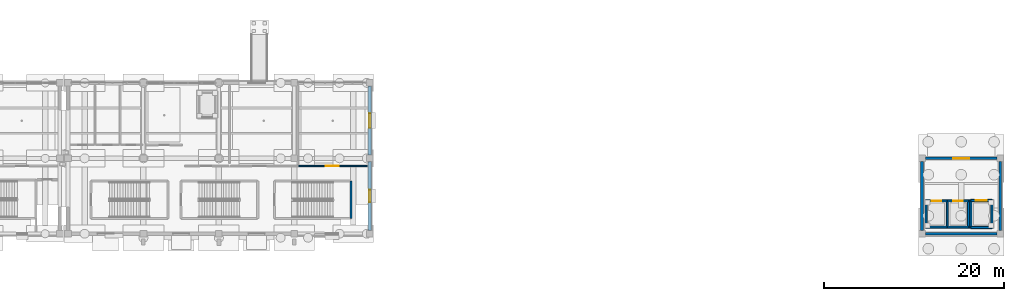
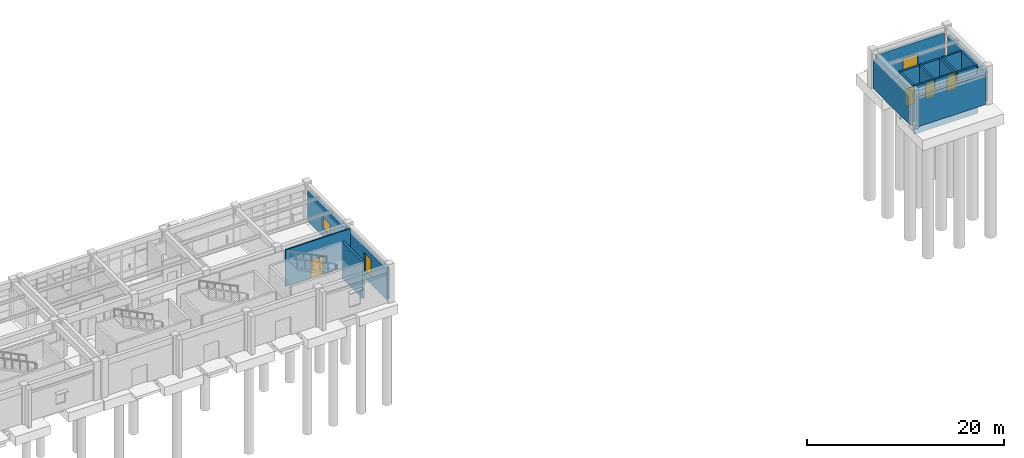
# One storey, part 19 of 29: 21 walls, 5 doors, 2 windows, 7 openings.
"""IFC4 building model written with IfcOpenShell, lengths in metres."""

import ifcopenshell
import ifcopenshell.guid

model = None  # the IFC model being written
_history = None  # IfcOwnerHistory: only IFC2X3 demands one
_inside = {}  # id of a spatial element -> (the spatial element, [elements in it])
_under = {}  # id of a project, library or spatial element -> (it, [spatial elements below it])
_declared = {}  # id of a project -> (the project, [libraries it declares])
_typed = {}  # id of a type object -> (the type object, [elements of that type])
_made_of = {}  # id of a material, layer set ... -> (it, [elements and type objects made of it])


def new_model(schema):
    """Start an empty IFC model of exactly this schema.

    Asked for "IFC4X3", IfcOpenShell would pick the latest addendum, in which some entities
    have other attributes; the version numbers below select the first issue.
    IFC2X3 requires an IfcOwnerHistory on every rooted entity: one is made here for all.
    """
    global model, _history
    if schema == "IFC4X3":
        model = ifcopenshell.file(schema_version=(4, 3, 0, 0))
    else:
        model = ifcopenshell.file(schema=schema)
    _inside.clear()
    _under.clear()
    _declared.clear()
    _typed.clear()
    _made_of.clear()
    _history = None
    if model.schema == "IFC2X3":
        org = make("IfcOrganization", Name="unknown")
        user = make(
            "IfcPersonAndOrganization",
            ThePerson=make("IfcPerson", FamilyName="unknown"),
            TheOrganization=org,
        )
        app = make(
            "IfcApplication",
            ApplicationDeveloper=org,
            Version="unknown",
            ApplicationFullName="unknown",
            ApplicationIdentifier="unknown",
        )
        _history = make(
            "IfcOwnerHistory",
            OwningUser=user,
            OwningApplication=app,
            ChangeAction="ADDED",
            CreationDate=0,
        )
    return model


def make(cls, **values):
    """One entity of the class cls with the attributes given. An attribute that is None is left unset."""
    return model.create_entity(
        cls, **{name: value for name, value in values.items() if value is not None}
    )


def rooted(cls, **values):
    """An entity with a GlobalId (a new one), such as an element, a storey or a relation."""
    return make(cls, GlobalId=ifcopenshell.guid.new(), OwnerHistory=_history, **values)


def si_unit(unit_type, name, prefix=None):
    """IfcSIUnit, for example si_unit("LENGTHUNIT", "METRE", prefix="MILLI")."""
    return make("IfcSIUnit", UnitType=unit_type, Prefix=prefix, Name=name)


def assignment(units):
    """IfcUnitAssignment: the units of a project."""
    return None if units is None else make("IfcUnitAssignment", Units=units)


def point(xyz):
    """IfcCartesianPoint."""
    return None if xyz is None else make("IfcCartesianPoint", Coordinates=xyz)


def direction(xyz):
    """IfcDirection."""
    return None if xyz is None else make("IfcDirection", DirectionRatios=xyz)


def frame(location, z_axis=None, x_axis=None):
    """IfcAxis2Placement3D, a coordinate frame: its origin and axes. An axis left out is left unset."""
    return make(
        "IfcAxis2Placement3D",
        Location=point(location),
        Axis=direction(z_axis),
        RefDirection=direction(x_axis),
    )


def frame_2d(location, x_axis=None):
    """IfcAxis2Placement2D, a coordinate frame in the plane: its origin and x axis."""
    return make(
        "IfcAxis2Placement2D", Location=point(location), RefDirection=direction(x_axis)
    )


def origin():
    """The frame at (0, 0, 0) with its axes left unset."""
    return frame((0.0, 0.0, 0.0))


def place(relative_to, where):
    """IfcLocalPlacement: puts the frame where relative to a parent placement (None: the world)."""
    return make(
        "IfcLocalPlacement", PlacementRelTo=relative_to, RelativePlacement=where
    )


def context(
    kind, dimensions, precision=None, world=None, true_north=None, identifier=None
):
    """IfcGeometricRepresentationContext, for example the 3D "Model" context."""
    return make(
        "IfcGeometricRepresentationContext",
        ContextIdentifier=identifier,
        ContextType=kind,
        CoordinateSpaceDimension=dimensions,
        Precision=precision,
        WorldCoordinateSystem=world,
        TrueNorth=true_north,
    )


def subcontext(parent, identifier, kind, view, scale=None):
    """IfcGeometricRepresentationSubContext, for example "Body" below "Model"."""
    return make(
        "IfcGeometricRepresentationSubContext",
        ContextIdentifier=identifier,
        ContextType=kind,
        ParentContext=parent,
        TargetScale=scale,
        TargetView=view,
    )


def project(units=None, contexts=None):
    """IfcProject with its units and contexts."""
    return rooted(
        "IfcProject",
        Name="project",
        RepresentationContexts=contexts,
        UnitsInContext=assignment(units),
    )


def spatial(cls, under=None, at=None, **own):
    """A site, building, storey or space (cls), placed at a placement, below another one or the project."""
    s = rooted(cls, ObjectPlacement=at, **own)
    if under is not None:
        _under.setdefault(under.id(), (under, []))[1].append(s)
    return s


def profile(cls, at=None, kind="AREA", **sizes):
    """A parametric profile (cls). Its sizes go by their IFC names, for example OverallWidth=200.0."""
    return make(cls, ProfileType=kind, Position=at, **sizes)


def rectangle(**sizes):
    """IfcRectangleProfileDef."""
    return profile("IfcRectangleProfileDef", **sizes)


def extrude(swept, where, along, depth):
    """IfcExtrudedAreaSolid: the profile swept, set in the frame where, extruded along a direction by depth."""
    return make(
        "IfcExtrudedAreaSolid",
        SweptArea=swept,
        Position=where,
        ExtrudedDirection=direction(along),
        Depth=depth,
    )


def shape(context_of_items, identifier, shape_type, items):
    """IfcShapeRepresentation: the items that make up one representation, for example the "Body"."""
    return make(
        "IfcShapeRepresentation",
        ContextOfItems=context_of_items,
        RepresentationIdentifier=identifier,
        RepresentationType=shape_type,
        Items=items,
    )


def material(Name=None, Category=None):
    """IfcMaterial."""
    return make("IfcMaterial", Name=Name, Category=Category)


def layer(
    of_material, thickness, ventilated=None, Name=None, Category=None, Priority=None
):
    """IfcMaterialLayer: one layer of a wall or slab, of a material (None: an air gap)."""
    return make(
        "IfcMaterialLayer",
        Material=of_material,
        LayerThickness=thickness,
        IsVentilated=ventilated,
        Name=Name,
        Category=Category,
        Priority=Priority,
    )


def layer_set(layers, Name=None):
    """IfcMaterialLayerSet."""
    return make("IfcMaterialLayerSet", MaterialLayers=layers, LayerSetName=Name)


def made_of(thing, what):
    """Note that an element or type object is made of a material, layer set ...; save() writes the relation."""
    if what is not None:
        _made_of.setdefault(what.id(), (what, []))[1].append(thing)
    return thing


def type_object(cls, material=None, **own):
    """A type object (cls), such as IfcWallType, which elements share."""
    return made_of(rooted(cls, **own), material)


def element(
    cls,
    number,
    at=None,
    inside=None,
    cuts=None,
    type_object=None,
    material=None,
    context=None,
    identifier="Body",
    shape_type=None,
    held_by="IfcProductDefinitionShape",
    body=None,
    shapes=None,
    **own,
):
    """One element of the class cls, such as IfcWall. Its Tag is "e" and its number.

    at: its placement. inside: the storey or other place that contains it. cuts: it is an
    opening in that element (IfcRelVoidsElement). A single representation is given by context,
    identifier, shape_type and body (its items); several are given by shapes. held_by: the class
    of the entity that holds the representations. save() writes the other relations.
    """
    e = rooted(cls, Tag="e%d" % number, ObjectPlacement=at, **own)
    if body is not None:
        shapes = [shape(context, identifier, shape_type, body)]
    if shapes is not None:
        e.Representation = make(held_by, Representations=shapes)
    if inside is not None:
        _inside.setdefault(inside.id(), (inside, []))[1].append(e)
    if cuts is not None:
        rooted(
            "IfcRelVoidsElement", RelatingBuildingElement=cuts, RelatedOpeningElement=e
        )
    if type_object is not None:
        _typed.setdefault(type_object.id(), (type_object, []))[1].append(e)
    return made_of(e, material)


def fill(opening, filler):
    """IfcRelFillsElement: the door or window that sits in an opening."""
    return rooted(
        "IfcRelFillsElement",
        RelatingOpeningElement=opening,
        RelatedBuildingElement=filler,
    )


def aggregate(whole, parts):
    """IfcRelAggregates: a whole, such as a stair, and the parts it consists of."""
    return rooted("IfcRelAggregates", RelatingObject=whole, RelatedObjects=parts)


def save(model, path):
    """Write the relations noted so far, then the file.

    IfcRelAggregates (storeys below a building ...), IfcRelContainedInSpatialStructure (elements
    in a storey), IfcRelDefinesByType, IfcRelAssociatesMaterial and IfcRelDeclares: one each for
    every whole, place, type object, material and project.
    """
    for whole, parts in _under.values():
        aggregate(whole, parts)
    for where, things in _inside.values():
        rooted(
            "IfcRelContainedInSpatialStructure",
            RelatedElements=things,
            RelatingStructure=where,
        )
    for kind, things in _typed.values():
        rooted("IfcRelDefinesByType", RelatedObjects=things, RelatingType=kind)
    for what, things in _made_of.values():
        rooted("IfcRelAssociatesMaterial", RelatedObjects=things, RelatingMaterial=what)
    for by, libraries in _declared.values():
        rooted("IfcRelDeclares", RelatingContext=by, RelatedDefinitions=libraries)
    model.write(path)


model = new_model("IFC4")

# Units and contexts
model_context = context("Model", 3, precision=1e-05, world=origin(), true_north=direction((0.0, 1.0)))
body_context = subcontext(model_context, "Body", "Model", "MODEL_VIEW")
ifc_project = project(units=[si_unit("LENGTHUNIT", "METRE"), si_unit("AREAUNIT", "SQUARE_METRE"), si_unit("VOLUMEUNIT", "CUBIC_METRE"), si_unit("PLANEANGLEUNIT", "RADIAN"), si_unit("MASSUNIT", "GRAM", prefix="KILO")], contexts=[model_context])

# Site, building, storey
site_placement = place(None, origin())
site = spatial("IfcSite", under=ifc_project, at=site_placement, CompositionType="ELEMENT")
building_placement = place(site_placement, origin())
building = spatial("IfcBuilding", under=site, at=building_placement, Name="Canglan Escarpment Cableway Terminal", CompositionType="ELEMENT")
storey_placement = place(building_placement, origin())
storey = spatial("IfcBuildingStorey", under=building, at=storey_placement, Name="L00", CompositionType="ELEMENT", Elevation=0.0)

# Walls
ifc_material_1 = material(Name="Concrete C40", Category="concrete")
ifc_layer_1 = layer(ifc_material_1, 0.239990234375, Name="Concrete C40")
ifc_layer_set_1 = layer_set([ifc_layer_1], Name="Concrete C40")
wall_type_1 = type_object("IfcWallType", Name="WL-CORE-SHEAR-240", PredefinedType="SHEAR", material=ifc_layer_set_1)
wall_1_placement = place(storey_placement, frame((74.02001953125, 9.679931640625, 0.0), z_axis=(0.0, 0.0, 1.0), x_axis=(0.0, 1.0, 0.0)))
element("IfcWall", 1, at=wall_1_placement, inside=storey, type_object=wall_type_1, Name="Protected stair core wall ST-05 (L00)", PredefinedType="SHEAR", context=body_context, shape_type="SweptSolid", body=[
    extrude(rectangle(XDim=4.190185546875, YDim=0.239990234375, at=frame_2d((2.09521484375, 0.0))), origin(), (0.0, 0.0, 1.0), 4.550048828125),
])
ifc_material_2 = material(Name="Dressed ashlar limestone on Concrete C40", Category="masonry")
ifc_layer_2 = layer(ifc_material_2, 0.320068359375, Name="Dressed ashlar limestone on Concrete C40")
ifc_layer_set_2 = layer_set([ifc_layer_2], Name="Dressed ashlar limestone on Concrete C40")
wall_type_2 = type_object("IfcWallType", Name="WL-EXT-ASHLAR-320", PredefinedType="STANDARD", material=ifc_layer_set_2)
wall_2_placement = place(storey_placement, frame((137.97509765625, 8.0, 0.0), z_axis=(0.0, 0.0, 1.0), x_axis=(1.0, 0.0, 0.0)))
element("IfcWall", 2, at=wall_2_placement, inside=storey, type_object=wall_type_2, Name="Classical stone-faced exterior wall EW-FB5A-L00-S-01", PredefinedType="STANDARD", context=body_context, shape_type="SweptSolid", body=[
    extrude(rectangle(XDim=7.949951171875, YDim=0.320068359375, at=frame_2d((3.97509765625, 0.0))), origin(), (0.0, 0.0, 1.0), 3.784912109375),
])
wall_3_placement = place(storey_placement, frame((146.300048828125, 8.375, 0.0), z_axis=(0.0, 0.0, 1.0), x_axis=(0.0, 1.0, 0.0)))
element("IfcWall", 3, at=wall_3_placement, inside=storey, type_object=wall_type_2, Name="Classical stone-faced exterior wall EW-FB5A-L00-E-01", PredefinedType="STANDARD", context=body_context, shape_type="SweptSolid", body=[
    extrude(rectangle(XDim=7.64990234375, YDim=0.320068359375, at=frame_2d((3.824951171875, 0.0))), origin(), (0.0, 0.0, 1.0), 3.5849609375),
])

# Wall, opening, door
wall_4_placement = place(storey_placement, frame((137.97509765625, 16.39990234375, 0.0), z_axis=(0.0, 0.0, 1.0), x_axis=(1.0, 0.0, 0.0)))
wall_4 = element("IfcWall", 4, at=wall_4_placement, inside=storey, type_object=wall_type_2, Name="Classical stone-faced exterior wall EW-FB5A-L00-N-01", PredefinedType="STANDARD", context=body_context, shape_type="SweptSolid", body=[
    extrude(rectangle(XDim=7.949951171875, YDim=0.320068359375, at=frame_2d((3.97509765625, 0.0))), origin(), (0.0, 0.0, 1.0), 3.784912109375),
])
opening_1_placement = place(wall_4_placement, frame((3.074951171875, 0.0, 0.0)))
opening_1 = element("IfcOpeningElement", 5, at=opening_1_placement, cuts=wall_4, Name="Opening ED-02", PredefinedType="OPENING", context=body_context, shape_type="SweptSolid", body=[
    extrude(rectangle(XDim=1.800048828125, YDim=2.25, at=frame_2d((0.89990234375, 1.125))), frame((0.0, 0.169921875, 0.0), z_axis=(0.0, -1.0, 0.0), x_axis=(1.0, 0.0, 0.0)), (0.0, 0.0, 1.0), 0.340087890625),
])
ifc_material_3 = material(Name="Anodized bronze aluminium and tempered safety glass", Category="aluminium")
door_type_1 = type_object("IfcDoorType", Name="DR-EXT-EXIT-1800", OperationType="NOTDEFINED", PredefinedType="DOOR", material=ifc_material_3)
door_1_placement = place(opening_1_placement, origin())
door_1 = element("IfcDoor", 6, at=door_1_placement, inside=storey, type_object=door_type_1, Name="Lift Lobby ground level final exit door ED-02", OperationType="DOUBLE_DOOR_SINGLE_SWING", OverallHeight=2.25, OverallWidth=1.800048828125, PredefinedType="DOOR", context=body_context, shape_type="SweptSolid", body=[
    extrude(rectangle(XDim=1.800048828125, YDim=2.25, at=frame_2d((0.89990234375, 1.125))), frame((0.0, 0.02490234375, 0.0), z_axis=(0.0, -1.0, 0.0), x_axis=(1.0, 0.0, 0.0)), (0.0, 0.0, 1.0), 0.050048828125),
])
fill(opening_1, door_1)

# Wall
wall_5_placement = place(storey_placement, frame((137.60009765625, 16.02490234375, 0.0), z_axis=(0.0, 0.0, 1.0), x_axis=(0.0, -1.0, 0.0)))
element("IfcWall", 7, at=wall_5_placement, inside=storey, type_object=wall_type_2, Name="Classical stone-faced exterior wall EW-FB5A-L00-W-01", PredefinedType="STANDARD", context=body_context, shape_type="SweptSolid", body=[
    extrude(rectangle(XDim=7.64990234375, YDim=0.320068359375, at=frame_2d((3.824951171875, 0.0))), origin(), (0.0, 0.0, 1.0), 3.5849609375),
])

# Wall, opening, window
ifc_material_4 = material(Name="Rusticated limestone masonry on Concrete C40", Category="masonry")
ifc_layer_3 = layer(ifc_material_4, 0.360107421875, Name="Rusticated limestone masonry on Concrete C40")
ifc_layer_set_3 = layer_set([ifc_layer_3], Name="Rusticated limestone masonry on Concrete C40")
wall_type_3 = type_object("IfcWallType", Name="WL-EXT-RUST-360", PredefinedType="STANDARD", material=ifc_layer_set_3)
wall_6_placement = place(storey_placement, frame((76.10009765625, 8.375, 0.0), z_axis=(0.0, 0.0, 1.0), x_axis=(0.0, 1.0, 0.0)))
wall_6 = element("IfcWall", 8, at=wall_6_placement, inside=storey, type_object=wall_type_3, Name="Classical stone-faced exterior wall EW-FB2-L00-E-01", PredefinedType="STANDARD", context=body_context, shape_type="SweptSolid", body=[
    extrude(rectangle(XDim=7.64990234375, YDim=0.360107421875, at=frame_2d((3.824951171875, 0.0))), origin(), (0.0, 0.0, 1.0), 3.784912109375),
])
opening_2_placement = place(wall_6_placement, frame((3.14990234375, 0.0, 0.949951171875)))
opening_2 = element("IfcOpeningElement", 9, at=opening_2_placement, cuts=wall_6, Name="Opening W-08", PredefinedType="OPENING", context=body_context, shape_type="SweptSolid", body=[
    extrude(rectangle(XDim=1.35009765625, YDim=2.14990234375, at=frame_2d((0.675048828125, 1.074951171875))), frame((0.0, 0.18994140625, 0.0), z_axis=(0.0, -1.0, 0.0), x_axis=(1.0, 0.0, 0.0)), (0.0, 0.0, 1.0), 0.380126953125),
])
ifc_material_5 = material(Name="Anodized bronze aluminium and Low-E double glazing", Category="aluminium")
window_type_1 = type_object("IfcWindowType", Name="WIN-EXT-08", PartitioningType="SINGLE_PANEL", PredefinedType="WINDOW", material=ifc_material_5)
window_1_placement = place(opening_2_placement, origin())
window_1 = element("IfcWindow", 10, at=window_1_placement, inside=storey, type_object=window_type_1, Name="Classical module window W-08", OverallHeight=2.14990234375, OverallWidth=1.35009765625, PartitioningType="SINGLE_PANEL", PredefinedType="WINDOW", context=body_context, shape_type="SweptSolid", body=[
    extrude(rectangle(XDim=1.35009765625, YDim=2.14990234375, at=frame_2d((0.675048828125, 1.074951171875))), frame((0.0, 0.030029296875, 0.0), z_axis=(0.0, -1.0, 0.0), x_axis=(1.0, 0.0, 0.0)), (0.0, 0.0, 1.0), 0.06005859375),
])
fill(opening_2, window_1)

wall_7_placement = place(storey_placement, frame((76.10009765625, 16.77490234375, 0.0), z_axis=(0.0, 0.0, 1.0), x_axis=(0.0, 1.0, 0.0)))
wall_7 = element("IfcWall", 11, at=wall_7_placement, inside=storey, type_object=wall_type_3, Name="Classical stone-faced exterior wall EW-FB2-L00-E-02", PredefinedType="STANDARD", context=body_context, shape_type="SweptSolid", body=[
    extrude(rectangle(XDim=7.650146484375, YDim=0.360107421875, at=frame_2d((3.8251953125, 0.0))), origin(), (0.0, 0.0, 1.0), 3.784912109375),
])
opening_3_placement = place(wall_7_placement, frame((3.02490234375, 0.0, 0.949951171875)))
opening_3 = element("IfcOpeningElement", 12, at=opening_3_placement, cuts=wall_7, Name="Opening W-09", PredefinedType="OPENING", context=body_context, shape_type="SweptSolid", body=[
    extrude(rectangle(XDim=1.60009765625, YDim=1.449951171875, at=frame_2d((0.800048828125, 0.72509765625))), frame((0.0, 0.18994140625, 0.0), z_axis=(0.0, -1.0, 0.0), x_axis=(1.0, 0.0, 0.0)), (0.0, 0.0, 1.0), 0.380126953125),
])
window_type_2 = type_object("IfcWindowType", Name="WIN-EXT-09", PartitioningType="SINGLE_PANEL", PredefinedType="WINDOW", material=ifc_material_5)
window_2_placement = place(opening_3_placement, origin())
window_2 = element("IfcWindow", 13, at=window_2_placement, inside=storey, type_object=window_type_2, Name="Classical module window W-09", OverallHeight=1.449951171875, OverallWidth=1.60009765625, PartitioningType="SINGLE_PANEL", PredefinedType="WINDOW", context=body_context, shape_type="SweptSolid", body=[
    extrude(rectangle(XDim=1.60009765625, YDim=1.449951171875, at=frame_2d((0.800048828125, 0.72509765625))), frame((0.0, 0.030029296875, 0.0), z_axis=(0.0, -1.0, 0.0), x_axis=(1.0, 0.0, 0.0)), (0.0, 0.0, 1.0), 0.06005859375),
])
fill(opening_3, window_2)

# Wall, opening, door
ifc_material_6 = material(Name="Acoustic double-stud gypsum partition", Category="gypsum")
ifc_layer_4 = layer(ifc_material_6, 0.14990234375, Name="Acoustic double-stud gypsum partition")
ifc_layer_set_4 = layer_set([ifc_layer_4], Name="Acoustic double-stud gypsum partition")
wall_type_4 = type_object("IfcWallType", Name="WL-INT-PART-150", PredefinedType="PARTITIONING", material=ifc_layer_set_4)
wall_8_placement = place(storey_placement, frame((68.199951171875, 15.550048828125, 0.0), z_axis=(0.0, 0.0, 1.0), x_axis=(1.0, 0.0, 0.0)))
wall_8 = element("IfcWall", 14, at=wall_8_placement, inside=storey, type_object=wall_type_4, Name="Interior partition wall IW-L00-13-MAIN", PredefinedType="PARTITIONING", context=body_context, shape_type="SweptSolid", body=[
    extrude(rectangle(XDim=7.60009765625, YDim=0.14990234375, at=frame_2d((3.800048828125, 0.0))), origin(), (0.0, 0.0, 1.0), 4.534912109375),
])
opening_4_placement = place(wall_8_placement, frame((2.97509765625, 0.0, 0.0)))
opening_4 = element("IfcOpeningElement", 15, at=opening_4_placement, cuts=wall_8, Name="Opening ID-19", PredefinedType="OPENING", context=body_context, shape_type="SweptSolid", body=[
    extrude(rectangle(XDim=1.449951171875, YDim=2.219970703125, at=frame_2d((0.72509765625, 1.10986328125))), frame((0.0, 0.0849609375, 0.0), z_axis=(0.0, -1.0, 0.0), x_axis=(1.0, 0.0, 0.0)), (0.0, 0.0, 1.0), 0.169921875),
])
ifc_material_7 = material(Name="Stained oak and safety glass door", Category="glass")
door_type_2 = type_object("IfcDoorType", Name="DR-INT-ID-19", OperationType="NOTDEFINED", PredefinedType="DOOR", material=ifc_material_7)
door_2_placement = place(opening_4_placement, origin())
door_2 = element("IfcDoor", 16, at=door_2_placement, inside=storey, type_object=door_type_2, Name="Passenger Waiting Lounge door ID-19", OperationType="DOUBLE_DOOR_SINGLE_SWING", OverallHeight=2.219970703125, OverallWidth=1.449951171875, PredefinedType="DOOR", context=body_context, shape_type="SweptSolid", body=[
    extrude(rectangle(XDim=1.449951171875, YDim=2.219970703125, at=frame_2d((0.72509765625, 1.10986328125))), frame((0.0, 0.02490234375, 0.0), z_axis=(0.0, -1.0, 0.0), x_axis=(1.0, 0.0, 0.0)), (0.0, 0.0, 1.0), 0.050048828125),
])
fill(opening_4, door_2)

# Walls
ifc_layer_5 = layer(ifc_material_1, 0.219970703125, Name="Concrete C40")
ifc_layer_set_5 = layer_set([ifc_layer_5], Name="Concrete C40")
wall_type_5 = type_object("IfcWallType", Name="WL-SHAFT-SHEAR-220", PredefinedType="SHEAR", material=ifc_layer_set_5)
for number, where, z_axis, x_axis, name in (
    (17, (138.02001953125, 8.719970703125, -1.39990234375), (0.0, 0.0, 1.0), (1.0, 0.0, 0.0), "Elevator pit wall LF-01"),
    (18, (138.02001953125, 11.679931640625, -1.39990234375), (0.0, 0.0, 1.0), (1.0, 0.0, 0.0), "Elevator pit wall LF-01"),
):
    element("IfcWall", number, at=place(storey_placement, frame(where, z_axis=z_axis, x_axis=x_axis)), inside=storey, type_object=wall_type_5, Name=name, PredefinedType="SHEAR", context=body_context, shape_type="SweptSolid", body=[
        extrude(rectangle(XDim=7.4599609375, YDim=0.219970703125, at=frame_2d((3.72998046875, 0.0))), origin(), (0.0, 0.0, 1.0), 1.119873046875),
    ])
wall_9_placement = place(storey_placement, frame((138.0400390625, 8.739990234375, 0.0), z_axis=(0.0, 0.0, 1.0), x_axis=(1.0, 0.0, 0.0)))
element("IfcWall", 19, at=wall_9_placement, inside=storey, type_object=wall_type_5, Name="Elevator core shaft wall LF-01 (L00)", PredefinedType="SHEAR", context=body_context, shape_type="SweptSolid", body=[
    extrude(rectangle(XDim=2.320068359375, YDim=0.219970703125, at=frame_2d((1.16015625, 0.0))), origin(), (0.0, 0.0, 1.0), 4.550048828125),
])
wall_10_placement = place(storey_placement, frame((140.39990234375, 8.739990234375, 0.0), z_axis=(0.0, 0.0, 1.0), x_axis=(0.0, 1.0, 0.0)))
element("IfcWall", 20, at=wall_10_placement, inside=storey, type_object=wall_type_5, Name="Elevator core shaft wall LF-01 (L00)", PredefinedType="SHEAR", context=body_context, shape_type="SweptSolid", body=[
    extrude(rectangle(XDim=2.919921875, YDim=0.219970703125, at=frame_2d((1.4599609375, 0.0))), origin(), (0.0, 0.0, 1.0), 4.550048828125),
])

# Wall, opening, door
wall_11_placement = place(storey_placement, frame((140.360107421875, 11.659912109375, 0.0), z_axis=(0.0, 0.0, 1.0), x_axis=(-1.0, 0.0, 0.0)))
wall_11 = element("IfcWall", 21, at=wall_11_placement, inside=storey, type_object=wall_type_5, Name="Elevator core shaft wall LF-01 (L00)", PredefinedType="SHEAR", context=body_context, shape_type="SweptSolid", body=[
    extrude(rectangle(XDim=2.320068359375, YDim=0.219970703125, at=frame_2d((1.16015625, 0.0))), origin(), (0.0, 0.0, 1.0), 4.550048828125),
])
opening_5_placement = place(wall_11_placement, frame((0.610107421875, 0.0, 0.0)))
opening_5 = element("IfcOpeningElement", 22, at=opening_5_placement, cuts=wall_11, Name="Opening LD-01", PredefinedType="OPENING", context=body_context, shape_type="SweptSolid", body=[
    extrude(rectangle(XDim=1.10009765625, YDim=2.14990234375, at=frame_2d((0.550048828125, 1.074951171875))), frame((0.0, 0.1201171875, 0.0), z_axis=(0.0, -1.0, 0.0), x_axis=(1.0, 0.0, 0.0)), (0.0, 0.0, 1.0), 0.239990234375),
])
ifc_material_8 = material(Name="Brushed stainless steel lift landing door", Category="steel")
door_type_3 = type_object("IfcDoorType", Name="DR-LIFT-SLIDE-1100", OperationType="DOUBLE_DOOR_SLIDING", PredefinedType="DOOR", material=ifc_material_8)
door_3_placement = place(opening_5_placement, origin())
door_3 = element("IfcDoor", 23, at=door_3_placement, inside=storey, type_object=door_type_3, Name="Elevator sliding landing door LF-01 (L00)", OperationType="DOUBLE_DOOR_SLIDING", OverallHeight=2.14990234375, OverallWidth=1.10009765625, PredefinedType="DOOR", context=body_context, shape_type="SweptSolid", body=[
    extrude(rectangle(XDim=1.10009765625, YDim=2.14990234375, at=frame_2d((0.550048828125, 1.074951171875))), frame((0.0, 0.02490234375, 0.0), z_axis=(0.0, -1.0, 0.0), x_axis=(1.0, 0.0, 0.0)), (0.0, 0.0, 1.0), 0.050048828125),
])
fill(opening_5, door_3)

# Walls
wall_12_placement = place(storey_placement, frame((138.0400390625, 11.659912109375, 0.0), z_axis=(0.0, 0.0, 1.0), x_axis=(0.0, -1.0, 0.0)))
element("IfcWall", 24, at=wall_12_placement, inside=storey, type_object=wall_type_5, Name="Elevator core shaft wall LF-01 (L00)", PredefinedType="SHEAR", context=body_context, shape_type="SweptSolid", body=[
    extrude(rectangle(XDim=2.919921875, YDim=0.219970703125, at=frame_2d((1.4599609375, 0.0))), origin(), (0.0, 0.0, 1.0), 4.550048828125),
])
wall_13_placement = place(storey_placement, frame((140.43994140625, 8.739990234375, 0.0), z_axis=(0.0, 0.0, 1.0), x_axis=(1.0, 0.0, 0.0)))
element("IfcWall", 25, at=wall_13_placement, inside=storey, type_object=wall_type_5, Name="Elevator core shaft wall LF-02 (L00)", PredefinedType="SHEAR", context=body_context, shape_type="SweptSolid", body=[
    extrude(rectangle(XDim=2.320068359375, YDim=0.219970703125, at=frame_2d((1.16015625, 0.0))), origin(), (0.0, 0.0, 1.0), 4.550048828125),
])
wall_14_placement = place(storey_placement, frame((142.760009765625, 8.739990234375, 0.0), z_axis=(0.0, 0.0, 1.0), x_axis=(0.0, 1.0, 0.0)))
element("IfcWall", 26, at=wall_14_placement, inside=storey, type_object=wall_type_5, Name="Elevator core shaft wall LF-02 (L00)", PredefinedType="SHEAR", context=body_context, shape_type="SweptSolid", body=[
    extrude(rectangle(XDim=2.919921875, YDim=0.219970703125, at=frame_2d((1.4599609375, 0.0))), origin(), (0.0, 0.0, 1.0), 4.550048828125),
])

# Wall, opening, door
wall_15_placement = place(storey_placement, frame((142.760009765625, 11.659912109375, 0.0), z_axis=(0.0, 0.0, 1.0), x_axis=(-1.0, 0.0, 0.0)))
wall_15 = element("IfcWall", 27, at=wall_15_placement, inside=storey, type_object=wall_type_5, Name="Elevator core shaft wall LF-02 (L00)", PredefinedType="SHEAR", context=body_context, shape_type="SweptSolid", body=[
    extrude(rectangle(XDim=2.320068359375, YDim=0.219970703125, at=frame_2d((1.16015625, 0.0))), origin(), (0.0, 0.0, 1.0), 4.550048828125),
])
opening_6_placement = place(wall_15_placement, frame((0.610107421875, 0.0, 0.0)))
opening_6 = element("IfcOpeningElement", 28, at=opening_6_placement, cuts=wall_15, Name="Opening LD-01", PredefinedType="OPENING", context=body_context, shape_type="SweptSolid", body=[
    extrude(rectangle(XDim=1.10009765625, YDim=2.14990234375, at=frame_2d((0.550048828125, 1.074951171875))), frame((0.0, 0.1201171875, 0.0), z_axis=(0.0, -1.0, 0.0), x_axis=(1.0, 0.0, 0.0)), (0.0, 0.0, 1.0), 0.239990234375),
])
door_4_placement = place(opening_6_placement, origin())
door_4 = element("IfcDoor", 29, at=door_4_placement, inside=storey, type_object=door_type_3, Name="Elevator sliding landing door LF-02 (L00)", OperationType="DOUBLE_DOOR_SLIDING", OverallHeight=2.14990234375, OverallWidth=1.10009765625, PredefinedType="DOOR", context=body_context, shape_type="SweptSolid", body=[
    extrude(rectangle(XDim=1.10009765625, YDim=2.14990234375, at=frame_2d((0.550048828125, 1.074951171875))), frame((0.0, 0.02490234375, 0.0), z_axis=(0.0, -1.0, 0.0), x_axis=(1.0, 0.0, 0.0)), (0.0, 0.0, 1.0), 0.050048828125),
])
fill(opening_6, door_4)

# Walls
wall_16_placement = place(storey_placement, frame((143.0400390625, 8.68994140625, 0.0), z_axis=(0.0, 0.0, 1.0), x_axis=(1.0, 0.0, 0.0)))
element("IfcWall", 30, at=wall_16_placement, inside=storey, type_object=wall_type_5, Name="Elevator core shaft wall LF-07 (L00)", PredefinedType="SHEAR", context=body_context, shape_type="SweptSolid", body=[
    extrude(rectangle(XDim=2.320068359375, YDim=0.219970703125, at=frame_2d((1.16015625, 0.0))), origin(), (0.0, 0.0, 1.0), 4.550048828125),
])
wall_17_placement = place(storey_placement, frame((145.360107421875, 8.68994140625, 0.0), z_axis=(0.0, 0.0, 1.0), x_axis=(0.0, 1.0, 0.0)))
element("IfcWall", 31, at=wall_17_placement, inside=storey, type_object=wall_type_5, Name="Elevator core shaft wall LF-07 (L00)", PredefinedType="SHEAR", context=body_context, shape_type="SweptSolid", body=[
    extrude(rectangle(XDim=3.02001953125, YDim=0.219970703125, at=frame_2d((1.510009765625, 0.0))), origin(), (0.0, 0.0, 1.0), 4.550048828125),
])

# Wall, opening, door
wall_18_placement = place(storey_placement, frame((145.360107421875, 11.7099609375, 0.0), z_axis=(0.0, 0.0, 1.0), x_axis=(-1.0, 0.0, 0.0)))
wall_18 = element("IfcWall", 32, at=wall_18_placement, inside=storey, type_object=wall_type_5, Name="Elevator core shaft wall LF-07 (L00)", PredefinedType="SHEAR", context=body_context, shape_type="SweptSolid", body=[
    extrude(rectangle(XDim=2.320068359375, YDim=0.219970703125, at=frame_2d((1.16015625, 0.0))), origin(), (0.0, 0.0, 1.0), 4.550048828125),
])
opening_7_placement = place(wall_18_placement, frame((0.56005859375, 0.0, 0.0)))
opening_7 = element("IfcOpeningElement", 33, at=opening_7_placement, cuts=wall_18, Name="Opening LD-02", PredefinedType="OPENING", context=body_context, shape_type="SweptSolid", body=[
    extrude(rectangle(XDim=1.199951171875, YDim=2.14990234375, at=frame_2d((0.60009765625, 1.074951171875))), frame((0.0, 0.1201171875, 0.0), z_axis=(0.0, -1.0, 0.0), x_axis=(1.0, 0.0, 0.0)), (0.0, 0.0, 1.0), 0.239990234375),
])
ifc_material_9 = material(Name="Fire-rated stainless steel lift landing door", Category="steel")
door_type_4 = type_object("IfcDoorType", Name="DR-LIFT-FIRE-1200", OperationType="DOUBLE_DOOR_SLIDING", PredefinedType="DOOR", material=ifc_material_9)
door_5_placement = place(opening_7_placement, origin())
door_5 = element("IfcDoor", 34, at=door_5_placement, inside=storey, type_object=door_type_4, Name="Elevator sliding landing door LF-07 (L00)", OperationType="DOUBLE_DOOR_SLIDING", OverallHeight=2.14990234375, OverallWidth=1.199951171875, PredefinedType="DOOR", context=body_context, shape_type="SweptSolid", body=[
    extrude(rectangle(XDim=1.199951171875, YDim=2.14990234375, at=frame_2d((0.60009765625, 1.074951171875))), frame((0.0, 0.02490234375, 0.0), z_axis=(0.0, -1.0, 0.0), x_axis=(1.0, 0.0, 0.0)), (0.0, 0.0, 1.0), 0.050048828125),
])
fill(opening_7, door_5)

# Wall
wall_19_placement = place(storey_placement, frame((143.0400390625, 11.7099609375, 0.0), z_axis=(0.0, 0.0, 1.0), x_axis=(0.0, -1.0, 0.0)))
element("IfcWall", 35, at=wall_19_placement, inside=storey, type_object=wall_type_5, Name="Elevator core shaft wall LF-07 (L00)", PredefinedType="SHEAR", context=body_context, shape_type="SweptSolid", body=[
    extrude(rectangle(XDim=3.02001953125, YDim=0.219970703125, at=frame_2d((1.510009765625, 0.0))), origin(), (0.0, 0.0, 1.0), 4.550048828125),
])

save(model, "model.ifc")
